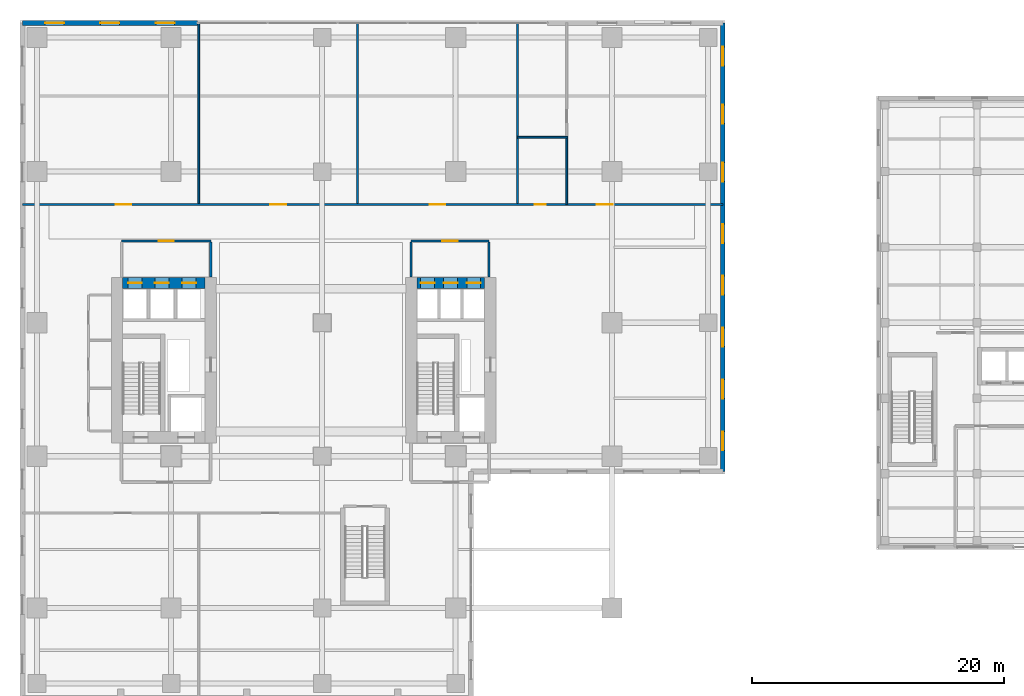
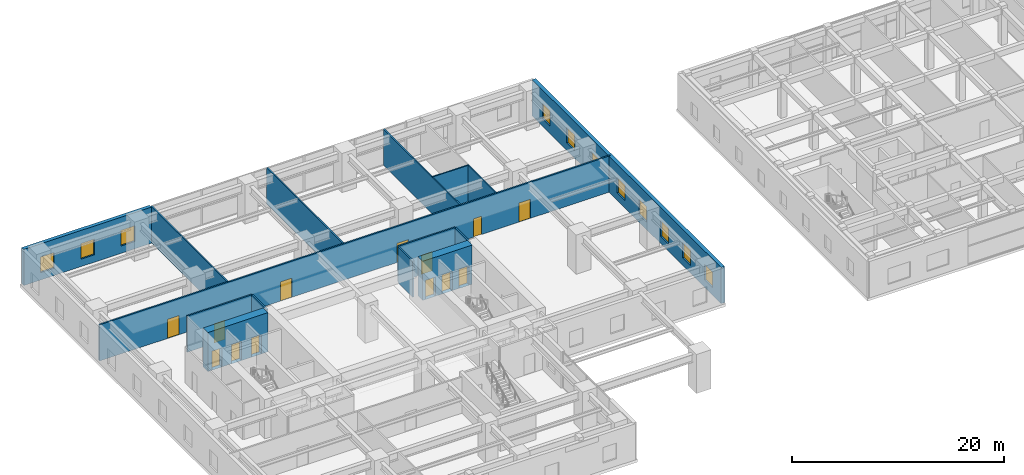
# One storey, part 20 of 28: 15 walls, 13 doors, 11 windows, 24 openings.
"""IFC4 building model written with IfcOpenShell, lengths in metres."""

from ifc_helpers import new_model, si_unit, direction, frame, frame_2d, origin, place, context, subcontext, project, spatial, rectangle, extrude, source, transform, mapped, material, layer, layer_set, type_object, element, fill, save


model = new_model("IFC4")

# Units and contexts
model_context = context("Model", 3, precision=1e-05, world=origin(), true_north=direction((0.0, 1.0)))
body_context = subcontext(model_context, "Body", "Model", "MODEL_VIEW")
ifc_project = project(units=[si_unit("LENGTHUNIT", "METRE"), si_unit("AREAUNIT", "SQUARE_METRE"), si_unit("VOLUMEUNIT", "CUBIC_METRE"), si_unit("PLANEANGLEUNIT", "RADIAN"), si_unit("MASSUNIT", "GRAM", prefix="KILO")], contexts=[model_context])

# Site, building, storey
site_placement = place(None, origin())
site = spatial("IfcSite", under=ifc_project, at=site_placement, CompositionType="ELEMENT")
building_placement = place(site_placement, origin())
building = spatial("IfcBuilding", under=site, at=building_placement, Name="Khoralis Quay Care Tower", CompositionType="ELEMENT")
storey_placement = place(building_placement, frame((0.0, 0.0, 9.0)))
storey = spatial("IfcBuildingStorey", under=building, at=storey_placement, Name="L02", CompositionType="ELEMENT", Elevation=9.0)

# Wall, openings, doors
ifc_material_1 = material(Name="Concrete C80/95", Category="concrete")
ifc_layer_1 = layer(ifc_material_1, 0.89990234375)
ifc_layer_set_1 = layer_set([ifc_layer_1], Name="Concrete C80/95")
wall_type_1 = type_object("IfcWallType", Name="WL-CORE-900", PredefinedType="SHEAR", material=ifc_layer_set_1)
wall_1_placement = place(storey_placement, frame((8.14990234375, 27.14990234375, 0.0), z_axis=(0.0, 0.0, 1.0), x_axis=(1.0, 0.0, 0.0)))
wall_1 = element("IfcWall", 1, at=wall_1_placement, inside=storey, type_object=wall_type_1, Name="L02 WCORE North Shear Wall", PredefinedType="SHEAR", context=body_context, shape_type="SweptSolid", body=[
    extrude(rectangle(XDim=6.550048828125, YDim=0.89990234375, at=frame_2d((3.27490234375, 0.0))), origin(), (0.0, 0.0, 1.0), 4.5),
])
opening_1_placement = place(wall_1_placement, frame((0.429931640625, 0.0, 0.0)))
opening_1 = element("IfcOpeningElement", 2, at=opening_1_placement, cuts=wall_1, Name="Opening LD1", PredefinedType="OPENING", context=body_context, shape_type="SweptSolid", body=[
    extrude(rectangle(XDim=1.10009765625, YDim=2.199951171875, at=frame_2d((0.550048828125, 1.10009765625))), frame((0.0, 0.4599609375, 0.0), z_axis=(0.0, -1.0, 0.0), x_axis=(1.0, 0.0, 0.0)), (0.0, 0.0, 1.0), 0.919921875),
])
opening_2_placement = place(wall_1_placement, frame((2.570068359375, 0.0, 0.0)))
opening_2 = element("IfcOpeningElement", 3, at=opening_2_placement, cuts=wall_1, Name="Opening LD1", PredefinedType="OPENING", context=body_context, shape_type="SweptSolid", body=[
    extrude(rectangle(XDim=1.10009765625, YDim=2.199951171875, at=frame_2d((0.550048828125, 1.10009765625))), frame((0.0, 0.4599609375, 0.0), z_axis=(0.0, -1.0, 0.0), x_axis=(1.0, 0.0, 0.0)), (0.0, 0.0, 1.0), 0.919921875),
])
opening_3_placement = place(wall_1_placement, frame((4.72998046875, 0.0, 0.0)))
opening_3 = element("IfcOpeningElement", 4, at=opening_3_placement, cuts=wall_1, Name="Opening LD1", PredefinedType="OPENING", context=body_context, shape_type="SweptSolid", body=[
    extrude(rectangle(XDim=1.10009765625, YDim=2.199951171875, at=frame_2d((0.550048828125, 1.10009765625))), frame((0.0, 0.4599609375, 0.0), z_axis=(0.0, -1.0, 0.0), x_axis=(1.0, 0.0, 0.0)), (0.0, 0.0, 1.0), 0.919921875),
])
ifc_material_2 = material(Name="Brushed stainless steel", Category="steel")
door_type_1 = type_object("IfcDoorType", Name="DR-LIFT-1100X2200", OperationType="SLIDING_TO_LEFT", PredefinedType="DOOR", material=ifc_material_2)
shared_shape_1 = source(origin(), body_context, "Body", "SweptSolid", [
    extrude(rectangle(XDim=1.10009765625, YDim=2.199951171875, at=frame_2d((0.550048828125, 1.10009765625))), frame((0.0, 0.02490234375, 0.0), z_axis=(0.0, -1.0, 0.0), x_axis=(1.0, 0.0, 0.0)), (0.0, 0.0, 1.0), 0.050048828125),
])
door_1_placement = place(opening_1_placement, origin())
door_1 = element("IfcDoor", 5, at=door_1_placement, inside=storey, type_object=door_type_1, Name="L02 Lift PLL1 Landing Door", OperationType="SLIDING_TO_LEFT", OverallHeight=2.199951171875, OverallWidth=1.10009765625, PredefinedType="DOOR", context=body_context, shape_type="MappedRepresentation", body=[
    mapped(shared_shape_1, transform((0.0, 0.0, 0.0), scale=1.0)),
])
fill(opening_1, door_1)
door_2_placement = place(opening_2_placement, origin())
door_2 = element("IfcDoor", 6, at=door_2_placement, inside=storey, type_object=door_type_1, Name="L02 Lift PLM1 Landing Door", OperationType="SLIDING_TO_LEFT", OverallHeight=2.199951171875, OverallWidth=1.10009765625, PredefinedType="DOOR", context=body_context, shape_type="MappedRepresentation", body=[
    mapped(shared_shape_1, transform((0.0, 0.0, 0.0), scale=1.0)),
])
fill(opening_2, door_2)
door_3_placement = place(opening_3_placement, origin())
door_3 = element("IfcDoor", 7, at=door_3_placement, inside=storey, type_object=door_type_1, Name="L02 Lift PLH1 Landing Door", OperationType="SLIDING_TO_LEFT", OverallHeight=2.199951171875, OverallWidth=1.10009765625, PredefinedType="DOOR", context=body_context, shape_type="MappedRepresentation", body=[
    mapped(shared_shape_1, transform((0.0, 0.0, 0.0), scale=1.0)),
])
fill(opening_3, door_3)

wall_2_placement = place(storey_placement, frame((31.52001953125, 27.14990234375, 0.0), z_axis=(0.0, 0.0, 1.0), x_axis=(1.0, 0.0, 0.0)))
wall_2 = element("IfcWall", 8, at=wall_2_placement, inside=storey, type_object=wall_type_1, Name="L02 ECORE North Shear Wall", PredefinedType="SHEAR", context=body_context, shape_type="SweptSolid", body=[
    extrude(rectangle(XDim=5.3798828125, YDim=0.89990234375, at=frame_2d((2.68994140625, 0.0))), origin(), (0.0, 0.0, 1.0), 4.5),
])
opening_4_placement = place(wall_2_placement, frame((0.300048828125, 0.0, 0.0)))
opening_4 = element("IfcOpeningElement", 9, at=opening_4_placement, cuts=wall_2, Name="Opening LD1", PredefinedType="OPENING", context=body_context, shape_type="SweptSolid", body=[
    extrude(rectangle(XDim=1.10009765625, YDim=2.199951171875, at=frame_2d((0.550048828125, 1.10009765625))), frame((0.0, 0.4599609375, 0.0), z_axis=(0.0, -1.0, 0.0), x_axis=(1.0, 0.0, 0.0)), (0.0, 0.0, 1.0), 0.919921875),
])
opening_5_placement = place(wall_2_placement, frame((2.1298828125, 0.0, 0.0)))
opening_5 = element("IfcOpeningElement", 10, at=opening_5_placement, cuts=wall_2, Name="Opening LD1", PredefinedType="OPENING", context=body_context, shape_type="SweptSolid", body=[
    extrude(rectangle(XDim=1.10009765625, YDim=2.199951171875, at=frame_2d((0.550048828125, 1.10009765625))), frame((0.0, 0.4599609375, 0.0), z_axis=(0.0, -1.0, 0.0), x_axis=(1.0, 0.0, 0.0)), (0.0, 0.0, 1.0), 0.919921875),
])
opening_6_placement = place(wall_2_placement, frame((3.9599609375, 0.0, 0.0)))
opening_6 = element("IfcOpeningElement", 11, at=opening_6_placement, cuts=wall_2, Name="Opening LD1", PredefinedType="OPENING", context=body_context, shape_type="SweptSolid", body=[
    extrude(rectangle(XDim=1.10009765625, YDim=2.199951171875, at=frame_2d((0.550048828125, 1.10009765625))), frame((0.0, 0.4599609375, 0.0), z_axis=(0.0, -1.0, 0.0), x_axis=(1.0, 0.0, 0.0)), (0.0, 0.0, 1.0), 0.919921875),
])
door_4_placement = place(opening_4_placement, origin())
door_4 = element("IfcDoor", 12, at=door_4_placement, inside=storey, type_object=door_type_1, Name="L02 Lift PLL2 Landing Door", OperationType="SLIDING_TO_LEFT", OverallHeight=2.199951171875, OverallWidth=1.10009765625, PredefinedType="DOOR", context=body_context, shape_type="MappedRepresentation", body=[
    mapped(shared_shape_1, transform((0.0, 0.0, 0.0), scale=1.0)),
])
fill(opening_4, door_4)
door_5_placement = place(opening_5_placement, origin())
door_5 = element("IfcDoor", 13, at=door_5_placement, inside=storey, type_object=door_type_1, Name="L02 Lift PLM2 Landing Door", OperationType="SLIDING_TO_LEFT", OverallHeight=2.199951171875, OverallWidth=1.10009765625, PredefinedType="DOOR", context=body_context, shape_type="MappedRepresentation", body=[
    mapped(shared_shape_1, transform((0.0, 0.0, 0.0), scale=1.0)),
])
fill(opening_5, door_5)
door_6_placement = place(opening_6_placement, origin())
door_6 = element("IfcDoor", 14, at=door_6_placement, inside=storey, type_object=door_type_1, Name="L02 Lift PLH2 Landing Door", OperationType="SLIDING_TO_LEFT", OverallHeight=2.199951171875, OverallWidth=1.10009765625, PredefinedType="DOOR", context=body_context, shape_type="MappedRepresentation", body=[
    mapped(shared_shape_1, transform((0.0, 0.0, 0.0), scale=1.0)),
])
fill(opening_6, door_6)

# Wall, opening, door
ifc_material_3 = material(Name="Gypsum plasterboard on acoustic metal stud")
ifc_layer_2 = layer(ifc_material_3, 0.1650390625)
ifc_layer_set_2 = layer_set([ifc_layer_2], Name="Gypsum plasterboard on acoustic metal stud")
wall_type_2 = type_object("IfcWallType", Name="WL-CORR-165", PredefinedType="PARTITIONING", material=ifc_layer_set_2)
wall_3_placement = place(storey_placement, frame((8.050048828125, 30.5, 0.0), z_axis=(0.0, 0.0, 1.0), x_axis=(1.0, 0.0, 0.0)))
wall_3 = element("IfcWall", 15, at=wall_3_placement, inside=storey, type_object=wall_type_2, Name="L02 West Lift Lobby North Wall", PredefinedType="PARTITIONING", context=body_context, shape_type="SweptSolid", body=[
    extrude(rectangle(XDim=7.099853515625, YDim=0.1650390625, at=frame_2d((3.5498046875, 0.0))), origin(), (0.0, 0.0, 1.0), 4.159912109375),
])
opening_7_placement = place(wall_3_placement, frame((2.949951171875, 0.0, 0.0)))
opening_7 = element("IfcOpeningElement", 16, at=opening_7_placement, cuts=wall_3, Name="Opening FD1", PredefinedType="OPENING", context=body_context, shape_type="SweptSolid", body=[
    extrude(rectangle(XDim=1.199951171875, YDim=2.199951171875, at=frame_2d((0.60009765625, 1.10009765625))), frame((0.0, 0.092529296875, 0.0), z_axis=(0.0, -1.0, 0.0), x_axis=(1.0, 0.0, 0.0)), (0.0, 0.0, 1.0), 0.18505859375),
])
ifc_material_4 = material(Name="Fire-rated painted steel", Category="steel")
door_type_2 = type_object("IfcDoorType", Name="DR-FFL-1200X2200", OperationType="NOTDEFINED", PredefinedType="DOOR", material=ifc_material_4)
shared_shape_2 = source(origin(), body_context, "Body", "SweptSolid", [
    extrude(rectangle(XDim=1.199951171875, YDim=2.199951171875, at=frame_2d((0.60009765625, 1.10009765625))), frame((0.0, 0.02490234375, 0.0), z_axis=(0.0, -1.0, 0.0), x_axis=(1.0, 0.0, 0.0)), (0.0, 0.0, 1.0), 0.050048828125),
])
door_7_placement = place(opening_7_placement, origin())
door_7 = element("IfcDoor", 17, at=door_7_placement, inside=storey, type_object=door_type_2, Name="L02 West Lift Lobby Double Door", OperationType="DOUBLE_DOOR_SINGLE_SWING", OverallHeight=2.199951171875, OverallWidth=1.199951171875, PredefinedType="DOOR", context=body_context, shape_type="MappedRepresentation", body=[
    mapped(shared_shape_2, transform((0.0, 0.0, 0.0), scale=1.0)),
])
fill(opening_7, door_7)

# Wall
wall_4_placement = place(storey_placement, frame((15.14990234375, 27.6201171875, 0.0), z_axis=(0.0, 0.0, 1.0), x_axis=(0.0, 1.0, 0.0)))
element("IfcWall", 18, at=wall_4_placement, inside=storey, type_object=wall_type_2, Name="L02 West Lift Lobby East Wall", PredefinedType="PARTITIONING", context=body_context, shape_type="SweptSolid", body=[
    extrude(rectangle(XDim=2.802490234375, YDim=0.1650390625, at=frame_2d((1.4013671875, 0.0))), origin(), (0.0, 0.0, 1.0), 4.159912109375),
])

# Wall, opening, door
wall_5_placement = place(storey_placement, frame((31.050048828125, 30.5, 0.0), z_axis=(0.0, 0.0, 1.0), x_axis=(1.0, 0.0, 0.0)))
wall_5 = element("IfcWall", 19, at=wall_5_placement, inside=storey, type_object=wall_type_2, Name="L02 East Lift Lobby North Wall", PredefinedType="PARTITIONING", context=body_context, shape_type="SweptSolid", body=[
    extrude(rectangle(XDim=6.199951171875, YDim=0.1650390625, at=frame_2d((3.10009765625, 0.0))), origin(), (0.0, 0.0, 1.0), 4.159912109375),
])
opening_8_placement = place(wall_5_placement, frame((2.5, 0.0, 0.0)))
opening_8 = element("IfcOpeningElement", 20, at=opening_8_placement, cuts=wall_5, Name="Opening FD1", PredefinedType="OPENING", context=body_context, shape_type="SweptSolid", body=[
    extrude(rectangle(XDim=1.199951171875, YDim=2.199951171875, at=frame_2d((0.60009765625, 1.10009765625))), frame((0.0, 0.092529296875, 0.0), z_axis=(0.0, -1.0, 0.0), x_axis=(1.0, 0.0, 0.0)), (0.0, 0.0, 1.0), 0.18505859375),
])
door_8_placement = place(opening_8_placement, origin())
door_8 = element("IfcDoor", 21, at=door_8_placement, inside=storey, type_object=door_type_2, Name="L02 East Lift Lobby Double Door", OperationType="DOUBLE_DOOR_SINGLE_SWING", OverallHeight=2.199951171875, OverallWidth=1.199951171875, PredefinedType="DOOR", context=body_context, shape_type="MappedRepresentation", body=[
    mapped(shared_shape_2, transform((0.0, 0.0, 0.0), scale=1.0)),
])
fill(opening_8, door_8)

# Walls
for number, where, z_axis, x_axis, name in (
    (22, (31.050048828125, 27.6201171875, 0.0), (0.0, 0.0, 1.0), (0.0, 1.0, 0.0), "L02 East Lift Lobby West Wall"),
    (23, (37.25, 27.6201171875, 0.0), (0.0, 0.0, 1.0), (0.0, 1.0, 0.0), "L02 East Lift Lobby East Wall"),
):
    element("IfcWall", number, at=place(storey_placement, frame(where, z_axis=z_axis, x_axis=x_axis)), inside=storey, type_object=wall_type_2, Name=name, PredefinedType="PARTITIONING", context=body_context, shape_type="SweptSolid", body=[
        extrude(rectangle(XDim=2.802490234375, YDim=0.1650390625, at=frame_2d((1.4013671875, 0.0))), origin(), (0.0, 0.0, 1.0), 4.159912109375),
    ])

# Wall, openings, doors
wall_6_placement = place(storey_placement, frame((0.18505859375, 33.39990234375, 0.0), z_axis=(0.0, 0.0, 1.0), x_axis=(1.0, 0.0, 0.0)))
wall_6 = element("IfcWall", 24, at=wall_6_placement, inside=storey, type_object=wall_type_2, Name="L02 Podium North Concourse Wall", PredefinedType="PARTITIONING", context=body_context, shape_type="SweptSolid", body=[
    extrude(rectangle(XDim=55.6298828125, YDim=0.1650390625, at=frame_2d((27.81494140625, 0.0))), origin(), (0.0, 0.0, 1.0), 4.159912109375),
])
opening_9_placement = place(wall_6_placement, frame((7.4150390625, 0.0, 0.0)))
opening_9 = element("IfcOpeningElement", 25, at=opening_9_placement, cuts=wall_6, Name="Opening CD1", PredefinedType="OPENING", context=body_context, shape_type="SweptSolid", body=[
    extrude(rectangle(XDim=1.25, YDim=2.199951171875, at=frame_2d((0.625, 1.10009765625))), frame((0.0, 0.092529296875, 0.0), z_axis=(0.0, -1.0, 0.0), x_axis=(1.0, 0.0, 0.0)), (0.0, 0.0, 1.0), 0.18505859375),
])
opening_10_placement = place(wall_6_placement, frame((19.68994140625, 0.0, 0.0)))
opening_10 = element("IfcOpeningElement", 26, at=opening_10_placement, cuts=wall_6, Name="Opening CD1", PredefinedType="OPENING", context=body_context, shape_type="SweptSolid", body=[
    extrude(rectangle(XDim=1.25, YDim=2.199951171875, at=frame_2d((0.625, 1.10009765625))), frame((0.0, 0.092529296875, 0.0), z_axis=(0.0, -1.0, 0.0), x_axis=(1.0, 0.0, 0.0)), (0.0, 0.0, 1.0), 0.18505859375),
])
opening_11_placement = place(wall_6_placement, frame((32.340087890625, 0.0, 0.0)))
opening_11 = element("IfcOpeningElement", 27, at=opening_11_placement, cuts=wall_6, Name="Opening CD1", PredefinedType="OPENING", context=body_context, shape_type="SweptSolid", body=[
    extrude(rectangle(XDim=1.25, YDim=2.199951171875, at=frame_2d((0.625, 1.10009765625))), frame((0.0, 0.092529296875, 0.0), z_axis=(0.0, -1.0, 0.0), x_axis=(1.0, 0.0, 0.0)), (0.0, 0.0, 1.0), 0.18505859375),
])
opening_12_placement = place(wall_6_placement, frame((40.68505859375, 0.0, 0.0)))
opening_12 = element("IfcOpeningElement", 28, at=opening_12_placement, cuts=wall_6, Name="Opening WD1", PredefinedType="OPENING", context=body_context, shape_type="SweptSolid", body=[
    extrude(rectangle(XDim=0.89990234375, YDim=2.10009765625, at=frame_2d((0.449951171875, 1.050048828125))), frame((0.0, 0.092529296875, 0.0), z_axis=(0.0, -1.0, 0.0), x_axis=(1.0, 0.0, 0.0)), (0.0, 0.0, 1.0), 0.18505859375),
])
opening_13_placement = place(wall_6_placement, frame((45.635009765625, 0.0, 0.0)))
opening_13 = element("IfcOpeningElement", 29, at=opening_13_placement, cuts=wall_6, Name="Opening CD1", PredefinedType="OPENING", context=body_context, shape_type="SweptSolid", body=[
    extrude(rectangle(XDim=1.25, YDim=2.199951171875, at=frame_2d((0.625, 1.10009765625))), frame((0.0, 0.092529296875, 0.0), z_axis=(0.0, -1.0, 0.0), x_axis=(1.0, 0.0, 0.0)), (0.0, 0.0, 1.0), 0.18505859375),
])
ifc_material_5 = material(Name="Acoustic hardwood timber", Category="wood")
door_type_3 = type_object("IfcDoorType", Name="DR-BATH-900X2100", OperationType="NOTDEFINED", PredefinedType="DOOR", material=ifc_material_5)
shared_shape_3 = source(origin(), body_context, "Body", "SweptSolid", [
    extrude(rectangle(XDim=0.89990234375, YDim=2.10009765625, at=frame_2d((0.449951171875, 1.050048828125))), frame((0.0, 0.02490234375, 0.0), z_axis=(0.0, -1.0, 0.0), x_axis=(1.0, 0.0, 0.0)), (0.0, 0.0, 1.0), 0.050048828125),
])
door_9_placement = place(opening_12_placement, origin())
door_9 = element("IfcDoor", 30, at=door_9_placement, inside=storey, type_object=door_type_3, Name="L02 Public Accessible WC Door", OperationType="SINGLE_SWING_LEFT", OverallHeight=2.10009765625, OverallWidth=0.89990234375, PredefinedType="DOOR", context=body_context, shape_type="MappedRepresentation", body=[
    mapped(shared_shape_3, transform((0.0, 0.0, 0.0), scale=1.0)),
])
fill(opening_12, door_9)
door_type_4 = type_object("IfcDoorType", Name="DR-CARE-1250X2200", OperationType="NOTDEFINED", PredefinedType="DOOR", material=ifc_material_5)
shared_shape_4 = source(origin(), body_context, "Body", "SweptSolid", [
    extrude(rectangle(XDim=1.25, YDim=2.199951171875, at=frame_2d((0.625, 1.10009765625))), frame((0.0, 0.02490234375, 0.0), z_axis=(0.0, -1.0, 0.0), x_axis=(1.0, 0.0, 0.0)), (0.0, 0.0, 1.0), 0.050048828125),
])
door_10_placement = place(opening_9_placement, origin())
door_10 = element("IfcDoor", 31, at=door_10_placement, inside=storey, type_object=door_type_4, Name="L02 Physical Rehabilitation Gym Door", OperationType="DOUBLE_DOOR_SINGLE_SWING", OverallHeight=2.199951171875, OverallWidth=1.25, PredefinedType="DOOR", context=body_context, shape_type="MappedRepresentation", body=[
    mapped(shared_shape_4, transform((0.0, 0.0, 0.0), scale=1.0)),
])
fill(opening_9, door_10)
door_11_placement = place(opening_10_placement, origin())
door_11 = element("IfcDoor", 32, at=door_11_placement, inside=storey, type_object=door_type_4, Name="L02 Speech Therapy Clinic Door", OperationType="DOUBLE_DOOR_SINGLE_SWING", OverallHeight=2.199951171875, OverallWidth=1.25, PredefinedType="DOOR", context=body_context, shape_type="MappedRepresentation", body=[
    mapped(shared_shape_4, transform((0.0, 0.0, 0.0), scale=1.0)),
])
fill(opening_10, door_11)
door_12_placement = place(opening_11_placement, origin())
door_12 = element("IfcDoor", 33, at=door_12_placement, inside=storey, type_object=door_type_4, Name="L02 Medical Records Office Door", OperationType="DOUBLE_DOOR_SINGLE_SWING", OverallHeight=2.199951171875, OverallWidth=1.25, PredefinedType="DOOR", context=body_context, shape_type="MappedRepresentation", body=[
    mapped(shared_shape_4, transform((0.0, 0.0, 0.0), scale=1.0)),
])
fill(opening_11, door_12)
door_13_placement = place(opening_13_placement, origin())
door_13 = element("IfcDoor", 34, at=door_13_placement, inside=storey, type_object=door_type_4, Name="L02 Podium Equipment Store Door", OperationType="SINGLE_SWING_RIGHT", OverallHeight=2.199951171875, OverallWidth=1.25, PredefinedType="DOOR", context=body_context, shape_type="MappedRepresentation", body=[
    mapped(shared_shape_4, transform((0.0, 0.0, 0.0), scale=1.0)),
])
fill(opening_13, door_13)

# Wall, openings, windows
ifc_material_6 = material(Name="Precast concrete C45/55", Category="concrete")
ifc_layer_3 = layer(ifc_material_6, 0.3798828125)
ifc_layer_set_3 = layer_set([ifc_layer_3], Name="Precast concrete C45/55")
wall_type_3 = type_object("IfcWallType", Name="WL-EXT-POD-380", PredefinedType="SOLIDWALL", material=ifc_layer_set_3)
wall_7_placement = place(storey_placement, frame((55.81005859375, 12.18994140625, 0.0), z_axis=(0.0, 0.0, 1.0), x_axis=(0.0, 1.0, 0.0)))
wall_7 = element("IfcWall", 35, at=wall_7_placement, inside=storey, type_object=wall_type_3, Name="L02 External Facade Wall WL-POD-L02-E3", PredefinedType="SOLIDWALL", context=body_context, shape_type="SweptSolid", body=[
    extrude(rectangle(XDim=35.6201171875, YDim=0.3798828125, at=frame_2d((17.81005859375, 0.0))), origin(), (0.0, 0.0, 1.0), 4.159912109375),
])
opening_14_placement = place(wall_7_placement, frame((1.6689453125, 0.0, 0.85009765625)))
opening_14 = element("IfcOpeningElement", 36, at=opening_14_placement, cuts=wall_7, Name="Opening W3", PredefinedType="OPENING", context=body_context, shape_type="SweptSolid", body=[
    extrude(rectangle(XDim=1.5, YDim=1.800048828125, at=frame_2d((0.75, 0.89990234375))), frame((0.0, 0.199951171875, 0.0), z_axis=(0.0, -1.0, 0.0), x_axis=(1.0, 0.0, 0.0)), (0.0, 0.0, 1.0), 0.39990234375),
])
opening_15_placement = place(wall_7_placement, frame((5.787109375, 0.0, 0.85009765625)))
opening_15 = element("IfcOpeningElement", 37, at=opening_15_placement, cuts=wall_7, Name="Opening W3", PredefinedType="OPENING", context=body_context, shape_type="SweptSolid", body=[
    extrude(rectangle(XDim=1.5, YDim=1.800048828125, at=frame_2d((0.75, 0.89990234375))), frame((0.0, 0.199951171875, 0.0), z_axis=(0.0, -1.0, 0.0), x_axis=(1.0, 0.0, 0.0)), (0.0, 0.0, 1.0), 0.39990234375),
])
opening_16_placement = place(wall_7_placement, frame((9.905029296875, 0.0, 0.85009765625)))
opening_16 = element("IfcOpeningElement", 38, at=opening_16_placement, cuts=wall_7, Name="Opening W3", PredefinedType="OPENING", context=body_context, shape_type="SweptSolid", body=[
    extrude(rectangle(XDim=1.5, YDim=1.800048828125, at=frame_2d((0.75, 0.89990234375))), frame((0.0, 0.199951171875, 0.0), z_axis=(0.0, -1.0, 0.0), x_axis=(1.0, 0.0, 0.0)), (0.0, 0.0, 1.0), 0.39990234375),
])
opening_17_placement = place(wall_7_placement, frame((14.02294921875, 0.0, 0.85009765625)))
opening_17 = element("IfcOpeningElement", 39, at=opening_17_placement, cuts=wall_7, Name="Opening W3", PredefinedType="OPENING", context=body_context, shape_type="SweptSolid", body=[
    extrude(rectangle(XDim=1.5, YDim=1.800048828125, at=frame_2d((0.75, 0.89990234375))), frame((0.0, 0.199951171875, 0.0), z_axis=(0.0, -1.0, 0.0), x_axis=(1.0, 0.0, 0.0)), (0.0, 0.0, 1.0), 0.39990234375),
])
opening_18_placement = place(wall_7_placement, frame((18.14111328125, 0.0, 0.85009765625)))
opening_18 = element("IfcOpeningElement", 40, at=opening_18_placement, cuts=wall_7, Name="Opening W3", PredefinedType="OPENING", context=body_context, shape_type="SweptSolid", body=[
    extrude(rectangle(XDim=1.5, YDim=1.800048828125, at=frame_2d((0.75, 0.89990234375))), frame((0.0, 0.199951171875, 0.0), z_axis=(0.0, -1.0, 0.0), x_axis=(1.0, 0.0, 0.0)), (0.0, 0.0, 1.0), 0.39990234375),
])
opening_19_placement = place(wall_7_placement, frame((23.018310546875, 0.0, 0.85009765625)))
opening_19 = element("IfcOpeningElement", 41, at=opening_19_placement, cuts=wall_7, Name="Opening W3", PredefinedType="OPENING", context=body_context, shape_type="SweptSolid", body=[
    extrude(rectangle(XDim=1.5, YDim=1.800048828125, at=frame_2d((0.75, 0.89990234375))), frame((0.0, 0.199951171875, 0.0), z_axis=(0.0, -1.0, 0.0), x_axis=(1.0, 0.0, 0.0)), (0.0, 0.0, 1.0), 0.39990234375),
])
opening_20_placement = place(wall_7_placement, frame((27.614990234375, 0.0, 0.85009765625)))
opening_20 = element("IfcOpeningElement", 42, at=opening_20_placement, cuts=wall_7, Name="Opening W3", PredefinedType="OPENING", context=body_context, shape_type="SweptSolid", body=[
    extrude(rectangle(XDim=1.5, YDim=1.800048828125, at=frame_2d((0.75, 0.89990234375))), frame((0.0, 0.199951171875, 0.0), z_axis=(0.0, -1.0, 0.0), x_axis=(1.0, 0.0, 0.0)), (0.0, 0.0, 1.0), 0.39990234375),
])
opening_21_placement = place(wall_7_placement, frame((32.211669921875, 0.0, 0.85009765625)))
opening_21 = element("IfcOpeningElement", 43, at=opening_21_placement, cuts=wall_7, Name="Opening W3", PredefinedType="OPENING", context=body_context, shape_type="SweptSolid", body=[
    extrude(rectangle(XDim=1.5, YDim=1.800048828125, at=frame_2d((0.75, 0.89990234375))), frame((0.0, 0.199951171875, 0.0), z_axis=(0.0, -1.0, 0.0), x_axis=(1.0, 0.0, 0.0)), (0.0, 0.0, 1.0), 0.39990234375),
])
ifc_material_7 = material(Name="Low-E solar-control double glazing", Category="glass")
window_type = type_object("IfcWindowType", Name="WN-CLIN-1500X1800", PartitioningType="SINGLE_PANEL", PredefinedType="WINDOW", material=ifc_material_7)
shared_shape_5 = source(origin(), body_context, "Body", "SweptSolid", [
    extrude(rectangle(XDim=1.5, YDim=1.800048828125, at=frame_2d((0.75, 0.89990234375))), frame((0.0, 0.030029296875, 0.0), z_axis=(0.0, -1.0, 0.0), x_axis=(1.0, 0.0, 0.0)), (0.0, 0.0, 1.0), 0.06005859375),
])
window_1_placement = place(opening_14_placement, origin())
window_1 = element("IfcWindow", 44, at=window_1_placement, inside=storey, type_object=window_type, Name="WN-POD-L02-E3 Facade Window 01", OverallHeight=1.800048828125, OverallWidth=1.5, PartitioningType="SINGLE_PANEL", PredefinedType="WINDOW", context=body_context, shape_type="MappedRepresentation", body=[
    mapped(shared_shape_5, transform((0.0, 0.0, 0.0), scale=1.0)),
])
fill(opening_14, window_1)
window_2_placement = place(opening_15_placement, origin())
window_2 = element("IfcWindow", 45, at=window_2_placement, inside=storey, type_object=window_type, Name="WN-POD-L02-E3 Facade Window 02", OverallHeight=1.800048828125, OverallWidth=1.5, PartitioningType="SINGLE_PANEL", PredefinedType="WINDOW", context=body_context, shape_type="MappedRepresentation", body=[
    mapped(shared_shape_5, transform((0.0, 0.0, 0.0), scale=1.0)),
])
fill(opening_15, window_2)
window_3_placement = place(opening_16_placement, origin())
window_3 = element("IfcWindow", 46, at=window_3_placement, inside=storey, type_object=window_type, Name="WN-POD-L02-E3 Facade Window 03", OverallHeight=1.800048828125, OverallWidth=1.5, PartitioningType="SINGLE_PANEL", PredefinedType="WINDOW", context=body_context, shape_type="MappedRepresentation", body=[
    mapped(shared_shape_5, transform((0.0, 0.0, 0.0), scale=1.0)),
])
fill(opening_16, window_3)
window_4_placement = place(opening_17_placement, origin())
window_4 = element("IfcWindow", 47, at=window_4_placement, inside=storey, type_object=window_type, Name="WN-POD-L02-E3 Facade Window 04", OverallHeight=1.800048828125, OverallWidth=1.5, PartitioningType="SINGLE_PANEL", PredefinedType="WINDOW", context=body_context, shape_type="MappedRepresentation", body=[
    mapped(shared_shape_5, transform((0.0, 0.0, 0.0), scale=1.0)),
])
fill(opening_17, window_4)
window_5_placement = place(opening_18_placement, origin())
window_5 = element("IfcWindow", 48, at=window_5_placement, inside=storey, type_object=window_type, Name="WN-POD-L02-E3 Facade Window 05", OverallHeight=1.800048828125, OverallWidth=1.5, PartitioningType="SINGLE_PANEL", PredefinedType="WINDOW", context=body_context, shape_type="MappedRepresentation", body=[
    mapped(shared_shape_5, transform((0.0, 0.0, 0.0), scale=1.0)),
])
fill(opening_18, window_5)
window_6_placement = place(opening_19_placement, origin())
window_6 = element("IfcWindow", 49, at=window_6_placement, inside=storey, type_object=window_type, Name="WN-POD-L02-E3 Facade Window 06", OverallHeight=1.800048828125, OverallWidth=1.5, PartitioningType="SINGLE_PANEL", PredefinedType="WINDOW", context=body_context, shape_type="MappedRepresentation", body=[
    mapped(shared_shape_5, transform((0.0, 0.0, 0.0), scale=1.0)),
])
fill(opening_19, window_6)
window_7_placement = place(opening_20_placement, origin())
window_7 = element("IfcWindow", 50, at=window_7_placement, inside=storey, type_object=window_type, Name="WN-POD-L02-E3 Facade Window 07", OverallHeight=1.800048828125, OverallWidth=1.5, PartitioningType="SINGLE_PANEL", PredefinedType="WINDOW", context=body_context, shape_type="MappedRepresentation", body=[
    mapped(shared_shape_5, transform((0.0, 0.0, 0.0), scale=1.0)),
])
fill(opening_20, window_7)
window_8_placement = place(opening_21_placement, origin())
window_8 = element("IfcWindow", 51, at=window_8_placement, inside=storey, type_object=window_type, Name="WN-POD-L02-E3 Facade Window 08", OverallHeight=1.800048828125, OverallWidth=1.5, PartitioningType="SINGLE_PANEL", PredefinedType="WINDOW", context=body_context, shape_type="MappedRepresentation", body=[
    mapped(shared_shape_5, transform((0.0, 0.0, 0.0), scale=1.0)),
])
fill(opening_21, window_8)

wall_8_placement = place(storey_placement, frame((14.094970703125, 47.81005859375, 0.0), z_axis=(0.0, 0.0, 1.0), x_axis=(-1.0, 0.0, 0.0)))
wall_8 = element("IfcWall", 52, at=wall_8_placement, inside=storey, type_object=wall_type_3, Name="L02 External Facade Wall WL-POD-L02-E4B", PredefinedType="SOLIDWALL", context=body_context, shape_type="SweptSolid", body=[
    extrude(rectangle(XDim=13.905029296875, YDim=0.3798828125, at=frame_2d((6.95263671875, 0.0))), origin(), (0.0, 0.0, 1.0), 4.159912109375),
])
opening_22_placement = place(wall_8_placement, frame((1.8076171875, 0.0, 0.85009765625)))
opening_22 = element("IfcOpeningElement", 53, at=opening_22_placement, cuts=wall_8, Name="Opening W3", PredefinedType="OPENING", context=body_context, shape_type="SweptSolid", body=[
    extrude(rectangle(XDim=1.5, YDim=1.800048828125, at=frame_2d((0.75, 0.89990234375))), frame((0.0, 0.199951171875, 0.0), z_axis=(0.0, -1.0, 0.0), x_axis=(1.0, 0.0, 0.0)), (0.0, 0.0, 1.0), 0.39990234375),
])
opening_23_placement = place(wall_8_placement, frame((6.202392578125, 0.0, 0.85009765625)))
opening_23 = element("IfcOpeningElement", 54, at=opening_23_placement, cuts=wall_8, Name="Opening W3", PredefinedType="OPENING", context=body_context, shape_type="SweptSolid", body=[
    extrude(rectangle(XDim=1.5, YDim=1.800048828125, at=frame_2d((0.75, 0.89990234375))), frame((0.0, 0.199951171875, 0.0), z_axis=(0.0, -1.0, 0.0), x_axis=(1.0, 0.0, 0.0)), (0.0, 0.0, 1.0), 0.39990234375),
])
opening_24_placement = place(wall_8_placement, frame((10.597412109375, 0.0, 0.85009765625)))
opening_24 = element("IfcOpeningElement", 55, at=opening_24_placement, cuts=wall_8, Name="Opening W3", PredefinedType="OPENING", context=body_context, shape_type="SweptSolid", body=[
    extrude(rectangle(XDim=1.5, YDim=1.800048828125, at=frame_2d((0.75, 0.89990234375))), frame((0.0, 0.199951171875, 0.0), z_axis=(0.0, -1.0, 0.0), x_axis=(1.0, 0.0, 0.0)), (0.0, 0.0, 1.0), 0.39990234375),
])
window_9_placement = place(opening_22_placement, origin())
window_9 = element("IfcWindow", 56, at=window_9_placement, inside=storey, type_object=window_type, Name="WN-POD-L02-4B Facade Window 01", OverallHeight=1.800048828125, OverallWidth=1.5, PartitioningType="SINGLE_PANEL", PredefinedType="WINDOW", context=body_context, shape_type="MappedRepresentation", body=[
    mapped(shared_shape_5, transform((0.0, 0.0, 0.0), scale=1.0)),
])
fill(opening_22, window_9)
window_10_placement = place(opening_23_placement, origin())
window_10 = element("IfcWindow", 57, at=window_10_placement, inside=storey, type_object=window_type, Name="WN-POD-L02-4B Facade Window 02", OverallHeight=1.800048828125, OverallWidth=1.5, PartitioningType="SINGLE_PANEL", PredefinedType="WINDOW", context=body_context, shape_type="MappedRepresentation", body=[
    mapped(shared_shape_5, transform((0.0, 0.0, 0.0), scale=1.0)),
])
fill(opening_23, window_10)
window_11_placement = place(opening_24_placement, origin())
window_11 = element("IfcWindow", 58, at=window_11_placement, inside=storey, type_object=window_type, Name="WN-POD-L02-4B Facade Window 03", OverallHeight=1.800048828125, OverallWidth=1.5, PartitioningType="SINGLE_PANEL", PredefinedType="WINDOW", context=body_context, shape_type="MappedRepresentation", body=[
    mapped(shared_shape_5, transform((0.0, 0.0, 0.0), scale=1.0)),
])
fill(opening_24, window_11)

# Walls
ifc_material_8 = material(Name="Moisture-resistant gypsum and ceramic tile")
ifc_layer_4 = layer(ifc_material_8, 0.280029296875)
ifc_layer_set_4 = layer_set([ifc_layer_4], Name="Moisture-resistant gypsum and ceramic tile")
wall_type_4 = type_object("IfcWallType", Name="WL-PLUMB-280", PredefinedType="PLUMBINGWALL", material=ifc_layer_set_4)
wall_9_placement = place(storey_placement, frame((43.419921875, 33.39990234375, 0.0), z_axis=(0.0, 0.0, 1.0), x_axis=(0.0, 1.0, 0.0)))
element("IfcWall", 59, at=wall_9_placement, inside=storey, type_object=wall_type_4, Name="L02 Podium WC East Partition", PredefinedType="PLUMBINGWALL", context=body_context, shape_type="SweptSolid", body=[
    extrude(rectangle(XDim=5.320068359375, YDim=0.139892578125, at=frame_2d((2.66015625, 0.0))), origin(), (0.0, 0.0, 1.0), 4.159912109375),
])
wall_10_placement = place(storey_placement, frame((39.5, 38.719970703125, 0.0), z_axis=(0.0, 0.0, 1.0), x_axis=(1.0, 0.0, 0.0)))
element("IfcWall", 60, at=wall_10_placement, inside=storey, type_object=wall_type_4, Name="L02 Podium WC North Partition", PredefinedType="PLUMBINGWALL", context=body_context, shape_type="SweptSolid", body=[
    extrude(rectangle(XDim=3.989990234375, YDim=0.139892578125, at=frame_2d((1.9951171875, 0.0))), origin(), (0.0, 0.0, 1.0), 4.159912109375),
])
ifc_layer_5 = layer(ifc_material_3, 0.139892578125)
ifc_layer_set_5 = layer_set([ifc_layer_5], Name="Gypsum plasterboard on acoustic metal stud")
wall_type_5 = type_object("IfcWallType", Name="WL-UNIT-140", PredefinedType="PARTITIONING", material=ifc_layer_set_5)
for number, where, z_axis, x_axis, name in (
    (61, (14.199951171875, 33.4775390625, 0.0), (0.0, 0.0, 1.0), (0.0, 1.0, 0.0), "L02 Podium North Split 1"),
    (62, (26.800048828125, 33.4775390625, 0.0), (0.0, 0.0, 1.0), (0.0, 1.0, 0.0), "L02 Podium North Split 2"),
    (63, (39.5, 33.4775390625, 0.0), (0.0, 0.0, 1.0), (0.0, 1.0, 0.0), "L02 Podium North Split 3"),
):
    element("IfcWall", number, at=place(storey_placement, frame(where, z_axis=z_axis, x_axis=x_axis)), inside=storey, type_object=wall_type_5, Name=name, PredefinedType="PARTITIONING", context=body_context, shape_type="SweptSolid", body=[
        extrude(rectangle(XDim=14.33740234375, YDim=0.139892578125, at=frame_2d((7.168701171875, 0.0))), origin(), (0.0, 0.0, 1.0), 4.159912109375),
    ])

save(model, "model.ifc")
